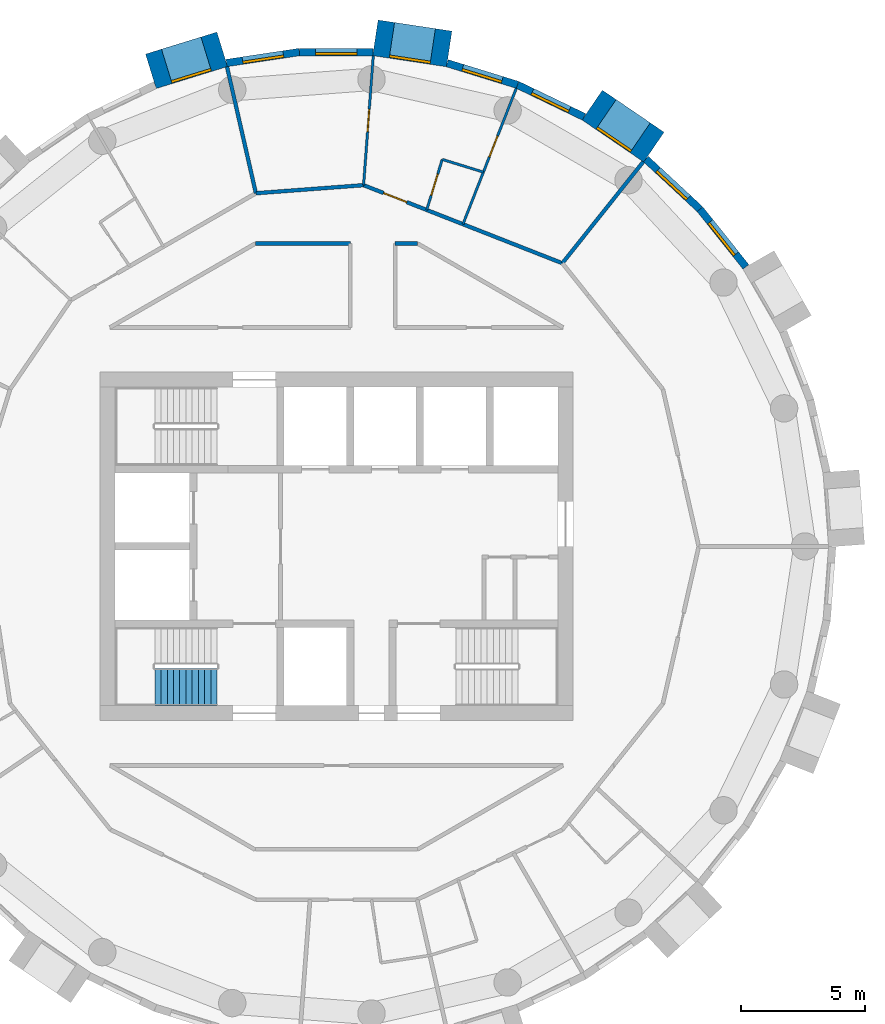
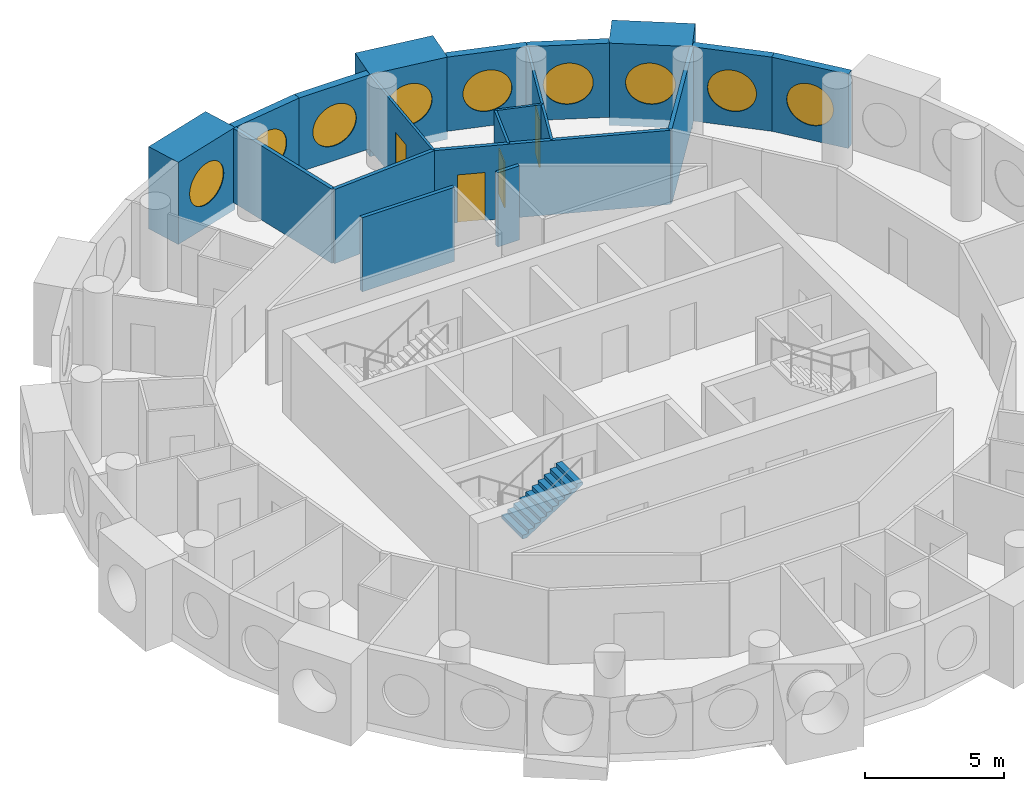
# One storey, part 9 of 11: 20 walls, 9 windows, 4 doors, 1 stair flight, 13 openings, 1 element without a shape of its own.
"""IFC4 building model written with IfcOpenShell, lengths in metres."""

from ifc_helpers import new_model, si_unit, direction, frame, frame_2d, origin, origin_2d, place, context, subcontext, project, spatial, polyline, rectangle, circle, outline, extrude, material, layer, layer_set, type_object, element, fill, aggregate, save


model = new_model("IFC4")

# Units and contexts
model_context = context("Model", 3, precision=1e-05, world=origin(), true_north=direction((0.0, 1.0)))
body_context = subcontext(model_context, "Body", "Model", "MODEL_VIEW")
ifc_project = project(units=[si_unit("LENGTHUNIT", "METRE"), si_unit("AREAUNIT", "SQUARE_METRE"), si_unit("VOLUMEUNIT", "CUBIC_METRE"), si_unit("PLANEANGLEUNIT", "RADIAN"), si_unit("MASSUNIT", "GRAM", prefix="KILO")], contexts=[model_context])

# Site, building, storey
site_placement = place(None, origin())
site = spatial("IfcSite", under=ifc_project, at=site_placement, CompositionType="ELEMENT")
building_placement = place(site_placement, origin())
building = spatial("IfcBuilding", under=site, at=building_placement, Name="Tracery Tower", CompositionType="ELEMENT")
storey_placement = place(building_placement, frame((0.0, 0.0, 263.39990234375)))
storey = spatial("IfcBuildingStorey", under=building, at=storey_placement, Name="L68", CompositionType="ELEMENT", Elevation=263.39990234375)

# Wall, opening, window
ifc_material_1 = material(Name="Precast concrete C50/60", Category="concrete")
ifc_layer_1 = layer(ifc_material_1, 1.449951171875)
ifc_layer_set_1 = layer_set([ifc_layer_1], Name="Deep-set bay unit 3000 x 3600, slab edge 350")
wall_type_1 = type_object("IfcWallType", Name="Deep-set bay unit 3000 x 3600, slab edge 350", PredefinedType="ELEMENTEDWALL", material=ifc_layer_set_1)
wall_1_placement = place(storey_placement, frame((12.754150390625, 16.044189453125, -0.349853515625), z_axis=(0.0, 0.0, 1.0), x_axis=(-0.826246281157, 0.563309047392, 0.0)))
wall_1 = element("IfcWall", 1, at=wall_1_placement, inside=storey, type_object=wall_type_1, Name="Deep-set bay unit 7 at L68", PredefinedType="ELEMENTEDWALL", context=body_context, shape_type="SweptSolid", body=[
    extrude(rectangle(XDim=3.0, YDim=1.449951171875, at=frame_2d((1.5, 0.0))), origin(), (0.0, 0.0, 1.0), 3.599853515625),
])
opening_1_placement = place(wall_1_placement, frame((1.5, 0.0, 1.89990234375)))
opening_1 = element("IfcOpeningElement", 2, at=opening_1_placement, cuts=wall_1, Name="Opening WN1", PredefinedType="OPENING", context=body_context, shape_type="SweptSolid", body=[
    extrude(circle(Radius=0.9000244140625, at=origin_2d()), frame((0.0, 0.73486328125, 0.0), z_axis=(0.0, -1.0, 0.0), x_axis=(1.0, 0.0, 0.0)), (0.0, 0.0, 1.0), 1.469970703125),
])
ifc_material_2 = material(Name="Aluminium frame with tinted double glazing", Category="aluminium")
window_type = type_object("IfcWindowType", Name="Round window 1800", PartitioningType="SINGLE_PANEL", PredefinedType="WINDOW", material=ifc_material_2)
window_1_placement = place(opening_1_placement, origin())
window_1 = element("IfcWindow", 3, at=window_1_placement, inside=storey, type_object=window_type, Name="Round window 7 at L68", OverallHeight=1.800048828125, OverallWidth=1.800048828125, PartitioningType="SINGLE_PANEL", PredefinedType="WINDOW", context=body_context, shape_type="SweptSolid", body=[
    extrude(circle(Radius=0.9000244140625, at=origin_2d()), frame((0.0, 0.69482421875, 0.0), z_axis=(0.0, -1.0, 0.0), x_axis=(1.0, 0.0, 0.0)), (0.0, 0.0, 1.0), 0.10009765625),
])
fill(opening_1, window_1)

wall_2_placement = place(storey_placement, frame((4.52978515625, 19.9892578125, -0.349853515625), z_axis=(0.0, 0.0, 1.0), x_axis=(-0.988836445254, 0.149004981587, 0.0)))
wall_2 = element("IfcWall", 4, at=wall_2_placement, inside=storey, type_object=wall_type_1, Name="Deep-set bay unit 10 at L68", PredefinedType="ELEMENTEDWALL", context=body_context, shape_type="SweptSolid", body=[
    extrude(rectangle(XDim=3.0, YDim=1.449951171875, at=frame_2d((1.5, 0.0))), origin(), (0.0, 0.0, 1.0), 3.599853515625),
])
opening_2_placement = place(wall_2_placement, frame((1.5, 0.0, 1.89990234375)))
opening_2 = element("IfcOpeningElement", 5, at=opening_2_placement, cuts=wall_2, Name="Opening WN1", PredefinedType="OPENING", context=body_context, shape_type="SweptSolid", body=[
    extrude(circle(Radius=0.9000244140625, at=origin_2d()), frame((0.0, 0.73486328125, 0.0), z_axis=(0.0, -1.0, 0.0), x_axis=(1.0, 0.0, 0.0)), (0.0, 0.0, 1.0), 1.469970703125),
])
window_2_placement = place(opening_2_placement, origin())
window_2 = element("IfcWindow", 6, at=window_2_placement, inside=storey, type_object=window_type, Name="Round window 10 at L68", OverallHeight=1.800048828125, OverallWidth=1.800048828125, PartitioningType="SINGLE_PANEL", PredefinedType="WINDOW", context=body_context, shape_type="SweptSolid", body=[
    extrude(circle(Radius=0.9000244140625, at=origin_2d()), frame((0.0, 0.69482421875, 0.0), z_axis=(0.0, -1.0, 0.0), x_axis=(1.0, 0.0, 0.0)), (0.0, 0.0, 1.0), 0.10009765625),
])
fill(opening_2, window_2)

wall_3_placement = place(storey_placement, frame((-4.591796875, 19.97509765625, -0.349853515625), z_axis=(0.0, 0.0, 1.0), x_axis=(-0.955571139978, -0.294760574774, 0.0)))
wall_3 = element("IfcWall", 7, at=wall_3_placement, inside=storey, type_object=wall_type_1, Name="Deep-set bay unit 13 at L68", PredefinedType="ELEMENTEDWALL", context=body_context, shape_type="SweptSolid", body=[
    extrude(rectangle(XDim=3.0, YDim=1.449951171875, at=frame_2d((1.5, 0.0))), origin(), (0.0, 0.0, 1.0), 3.599853515625),
])
opening_3_placement = place(wall_3_placement, frame((1.5, 0.0, 1.89990234375)))
opening_3 = element("IfcOpeningElement", 8, at=opening_3_placement, cuts=wall_3, Name="Opening WN1", PredefinedType="OPENING", context=body_context, shape_type="SweptSolid", body=[
    extrude(circle(Radius=0.9000244140625, at=origin_2d()), frame((0.0, 0.73486328125, 0.0), z_axis=(0.0, -1.0, 0.0), x_axis=(1.0, 0.0, 0.0)), (0.0, 0.0, 1.0), 1.469970703125),
])
window_3_placement = place(opening_3_placement, origin())
window_3 = element("IfcWindow", 9, at=window_3_placement, inside=storey, type_object=window_type, Name="Round window 13 at L68", OverallHeight=1.800048828125, OverallWidth=1.800048828125, PartitioningType="SINGLE_PANEL", PredefinedType="WINDOW", context=body_context, shape_type="SweptSolid", body=[
    extrude(circle(Radius=0.9000244140625, at=origin_2d()), frame((0.0, 0.69482421875, 0.0), z_axis=(0.0, -1.0, 0.0), x_axis=(1.0, 0.0, 0.0)), (0.0, 0.0, 1.0), 0.10009765625),
])
fill(opening_3, window_3)

ifc_material_3 = material(Name="Precast concrete C50/60", Category="concrete")
ifc_layer_2 = layer(ifc_material_3, 0.300048828125)
ifc_layer_set_2 = layer_set([ifc_layer_2], Name="Facade panel 3000 x 3250")
wall_type_2 = type_object("IfcWallType", Name="Facade panel 3000 x 3250", PredefinedType="SOLIDWALL", material=ifc_layer_set_2)
wall_4_placement = place(storey_placement, frame((16.45068359375, 11.234375, 0.0), z_axis=(0.0, 0.0, 1.0), x_axis=(-0.623498236992, 0.781824755599, 0.0)))
wall_4 = element("IfcWall", 10, at=wall_4_placement, inside=storey, type_object=wall_type_2, Name="Facade panel 5 at L68", PredefinedType="SOLIDWALL", context=body_context, shape_type="SweptSolid", body=[
    extrude(rectangle(XDim=2.962158203125, YDim=0.300048828125, at=frame_2d((1.48095703125, 0.0))), origin(), (0.0, 0.0, 1.0), 3.25),
])
opening_4_placement = place(wall_4_placement, frame((1.48095703125, 0.0, 1.5498046875)))
opening_4 = element("IfcOpeningElement", 11, at=opening_4_placement, cuts=wall_4, Name="Opening WN1", PredefinedType="OPENING", context=body_context, shape_type="SweptSolid", body=[
    extrude(circle(Radius=0.9000244140625, at=origin_2d()), frame((0.0, 0.159912109375, 0.0), z_axis=(0.0, -1.0, 0.0), x_axis=(1.0, 0.0, 0.0)), (0.0, 0.0, 1.0), 0.320068359375),
])
window_4_placement = place(opening_4_placement, origin())
window_4 = element("IfcWindow", 12, at=window_4_placement, inside=storey, type_object=window_type, Name="Round window 5 at L68", OverallHeight=1.800048828125, OverallWidth=1.800048828125, PartitioningType="SINGLE_PANEL", PredefinedType="WINDOW", context=body_context, shape_type="SweptSolid", body=[
    extrude(circle(Radius=0.9000244140625, at=origin_2d()), frame((0.0, 0.1201171875, 0.0), z_axis=(0.0, -1.0, 0.0), x_axis=(1.0, 0.0, 0.0)), (0.0, 0.0, 1.0), 0.10009765625),
])
fill(opening_4, window_4)

wall_5_placement = place(storey_placement, frame((14.603759765625, 13.55029296875, 0.0), z_axis=(0.0, 0.0, 1.0), x_axis=(-0.733066412643, 0.680157066165, 0.0)))
wall_5 = element("IfcWall", 13, at=wall_5_placement, inside=storey, type_object=wall_type_2, Name="Facade panel 6 at L68", PredefinedType="SOLIDWALL", context=body_context, shape_type="SweptSolid", body=[
    extrude(rectangle(XDim=2.96240234375, YDim=0.300048828125, at=frame_2d((1.481201171875, 0.0))), origin(), (0.0, 0.0, 1.0), 3.25),
])
opening_5_placement = place(wall_5_placement, frame((1.48095703125, 0.0, 1.5498046875)))
opening_5 = element("IfcOpeningElement", 14, at=opening_5_placement, cuts=wall_5, Name="Opening WN1", PredefinedType="OPENING", context=body_context, shape_type="SweptSolid", body=[
    extrude(circle(Radius=0.9000244140625, at=origin_2d()), frame((0.0, 0.159912109375, 0.0), z_axis=(0.0, -1.0, 0.0), x_axis=(1.0, 0.0, 0.0)), (0.0, 0.0, 1.0), 0.320068359375),
])
window_5_placement = place(opening_5_placement, origin())
window_5 = element("IfcWindow", 15, at=window_5_placement, inside=storey, type_object=window_type, Name="Round window 6 at L68", OverallHeight=1.800048828125, OverallWidth=1.800048828125, PartitioningType="SINGLE_PANEL", PredefinedType="WINDOW", context=body_context, shape_type="SweptSolid", body=[
    extrude(circle(Radius=0.9000244140625, at=origin_2d()), frame((0.0, 0.1201171875, 0.0), z_axis=(0.0, -1.0, 0.0), x_axis=(1.0, 0.0, 0.0)), (0.0, 0.0, 1.0), 0.10009765625),
])
fill(opening_5, window_5)

wall_6_placement = place(storey_placement, frame((9.947021484375, 17.25927734375, 0.0), z_axis=(0.0, 0.0, 1.0), x_axis=(-0.900939615635, 0.433944476838, 0.0)))
wall_6 = element("IfcWall", 16, at=wall_6_placement, inside=storey, type_object=wall_type_2, Name="Facade panel 8 at L68", PredefinedType="SOLIDWALL", context=body_context, shape_type="SweptSolid", body=[
    extrude(rectangle(XDim=2.962158203125, YDim=0.300048828125, at=frame_2d((1.48095703125, 0.0))), origin(), (0.0, 0.0, 1.0), 3.25),
])
opening_6_placement = place(wall_6_placement, frame((1.48095703125, 0.0, 1.5498046875)))
opening_6 = element("IfcOpeningElement", 17, at=opening_6_placement, cuts=wall_6, Name="Opening WN1", PredefinedType="OPENING", context=body_context, shape_type="SweptSolid", body=[
    extrude(circle(Radius=0.9000244140625, at=origin_2d()), frame((0.0, 0.159912109375, 0.0), z_axis=(0.0, -1.0, 0.0), x_axis=(1.0, 0.0, 0.0)), (0.0, 0.0, 1.0), 0.320068359375),
])
window_6_placement = place(opening_6_placement, origin())
window_6 = element("IfcWindow", 18, at=window_6_placement, inside=storey, type_object=window_type, Name="Round window 8 at L68", OverallHeight=1.800048828125, OverallWidth=1.800048828125, PartitioningType="SINGLE_PANEL", PredefinedType="WINDOW", context=body_context, shape_type="SweptSolid", body=[
    extrude(circle(Radius=0.9000244140625, at=origin_2d()), frame((0.0, 0.1201171875, 0.0), z_axis=(0.0, -1.0, 0.0), x_axis=(1.0, 0.0, 0.0)), (0.0, 0.0, 1.0), 0.10009765625),
])
fill(opening_6, window_6)

wall_7_placement = place(storey_placement, frame((7.2783203125, 18.544677734375, 0.0), z_axis=(0.0, 0.0, 1.0), x_axis=(-0.95558635705, 0.294711238707, 0.0)))
wall_7 = element("IfcWall", 19, at=wall_7_placement, inside=storey, type_object=wall_type_2, Name="Facade panel 9 at L68", PredefinedType="SOLIDWALL", context=body_context, shape_type="SweptSolid", body=[
    extrude(rectangle(XDim=2.96240234375, YDim=0.300048828125, at=frame_2d((1.481201171875, 0.0))), origin(), (0.0, 0.0, 1.0), 3.25),
])
opening_7_placement = place(wall_7_placement, frame((1.48095703125, 0.0, 1.5498046875)))
opening_7 = element("IfcOpeningElement", 20, at=opening_7_placement, cuts=wall_7, Name="Opening WN1", PredefinedType="OPENING", context=body_context, shape_type="SweptSolid", body=[
    extrude(circle(Radius=0.9000244140625, at=origin_2d()), frame((0.0, 0.159912109375, 0.0), z_axis=(0.0, -1.0, 0.0), x_axis=(1.0, 0.0, 0.0)), (0.0, 0.0, 1.0), 0.320068359375),
])
window_7_placement = place(opening_7_placement, origin())
window_7 = element("IfcWindow", 21, at=window_7_placement, inside=storey, type_object=window_type, Name="Round window 9 at L68", OverallHeight=1.800048828125, OverallWidth=1.800048828125, PartitioningType="SINGLE_PANEL", PredefinedType="WINDOW", context=body_context, shape_type="SweptSolid", body=[
    extrude(circle(Radius=0.9000244140625, at=origin_2d()), frame((0.0, 0.1201171875, 0.0), z_axis=(0.0, -1.0, 0.0), x_axis=(1.0, 0.0, 0.0)), (0.0, 0.0, 1.0), 0.10009765625),
])
fill(opening_7, window_7)

wall_8_placement = place(storey_placement, frame((1.473388671875, 19.865966796875, 0.0), z_axis=(0.0, 0.0, 1.0), x_axis=(-1.0, 0.0, 0.0)))
wall_8 = element("IfcWall", 22, at=wall_8_placement, inside=storey, type_object=wall_type_2, Name="Facade panel 11 at L68", PredefinedType="SOLIDWALL", context=body_context, shape_type="SweptSolid", body=[
    extrude(rectangle(XDim=2.962158203125, YDim=0.300048828125, at=frame_2d((1.48095703125, 0.0))), origin(), (0.0, 0.0, 1.0), 3.25),
])
opening_8_placement = place(wall_8_placement, frame((1.48095703125, 0.0, 1.5498046875)))
opening_8 = element("IfcOpeningElement", 23, at=opening_8_placement, cuts=wall_8, Name="Opening WN1", PredefinedType="OPENING", context=body_context, shape_type="SweptSolid", body=[
    extrude(circle(Radius=0.9000244140625, at=origin_2d()), frame((0.0, 0.159912109375, 0.0), z_axis=(0.0, -1.0, 0.0), x_axis=(1.0, 0.0, 0.0)), (0.0, 0.0, 1.0), 0.320068359375),
])
window_8_placement = place(opening_8_placement, origin())
window_8 = element("IfcWindow", 24, at=window_8_placement, inside=storey, type_object=window_type, Name="Round window 11 at L68", OverallHeight=1.800048828125, OverallWidth=1.800048828125, PartitioningType="SINGLE_PANEL", PredefinedType="WINDOW", context=body_context, shape_type="SweptSolid", body=[
    extrude(circle(Radius=0.9000244140625, at=origin_2d()), frame((0.0, 0.1201171875, 0.0), z_axis=(0.0, -1.0, 0.0), x_axis=(1.0, 0.0, 0.0)), (0.0, 0.0, 1.0), 0.10009765625),
])
fill(opening_8, window_8)

wall_9_placement = place(storey_placement, frame((-1.48876953125, 19.865966796875, 0.0), z_axis=(0.0, 0.0, 1.0), x_axis=(-0.988835775663, -0.149009425104, 0.0)))
wall_9 = element("IfcWall", 25, at=wall_9_placement, inside=storey, type_object=wall_type_2, Name="Facade panel 12 at L68", PredefinedType="SOLIDWALL", context=body_context, shape_type="SweptSolid", body=[
    extrude(rectangle(XDim=2.962158203125, YDim=0.300048828125, at=frame_2d((1.48095703125, 0.0))), origin(), (0.0, 0.0, 1.0), 3.25),
])
opening_9_placement = place(wall_9_placement, frame((1.48095703125, 0.0, 1.5498046875)))
opening_9 = element("IfcOpeningElement", 26, at=opening_9_placement, cuts=wall_9, Name="Opening WN1", PredefinedType="OPENING", context=body_context, shape_type="SweptSolid", body=[
    extrude(circle(Radius=0.9000244140625, at=origin_2d()), frame((0.0, 0.159912109375, 0.0), z_axis=(0.0, -1.0, 0.0), x_axis=(1.0, 0.0, 0.0)), (0.0, 0.0, 1.0), 0.320068359375),
])
window_9_placement = place(opening_9_placement, origin())
window_9 = element("IfcWindow", 27, at=window_9_placement, inside=storey, type_object=window_type, Name="Round window 12 at L68", OverallHeight=1.800048828125, OverallWidth=1.800048828125, PartitioningType="SINGLE_PANEL", PredefinedType="WINDOW", context=body_context, shape_type="SweptSolid", body=[
    extrude(circle(Radius=0.9000244140625, at=origin_2d()), frame((0.0, 0.1201171875, 0.0), z_axis=(0.0, -1.0, 0.0), x_axis=(1.0, 0.0, 0.0)), (0.0, 0.0, 1.0), 0.10009765625),
])
fill(opening_9, window_9)

# Wall, opening, door
ifc_material_4 = material(Name="Plasterboard on steel studs", Category="steel")
ifc_layer_3 = layer(ifc_material_4, 0.10009765625)
ifc_layer_set_3 = layer_set([ifc_layer_3], Name="Partition 100 stud")
wall_type_3 = type_object("IfcWallType", Name="Partition 100 stud", PredefinedType="PARTITIONING", material=ifc_layer_set_3)
wall_10_placement = place(storey_placement, frame((5.903076171875, 15.041015625, 0.0), z_axis=(0.0, 0.0, 1.0), x_axis=(0.36523219083, 0.930916455318, 0.0)))
wall_10 = element("IfcWall", 28, at=wall_10_placement, inside=storey, type_object=wall_type_3, Name="Stud partition RC4-041", PredefinedType="PARTITIONING", context=body_context, shape_type="SweptSolid", body=[
    extrude(rectangle(XDim=3.61376953125, YDim=0.10009765625, at=frame_2d((1.806884765625, 0.0))), origin(), (0.0, 0.0, 1.0), 3.25),
])
opening_10_placement = place(wall_10_placement, frame((0.65673828125, 0.0, 0.0)))
opening_10 = element("IfcOpeningElement", 29, at=opening_10_placement, cuts=wall_10, Name="Opening RC4-05", PredefinedType="OPENING", context=body_context, shape_type="SweptSolid", body=[
    extrude(rectangle(XDim=0.89990234375, YDim=2.10009765625, at=frame_2d((0.449951171875, 1.050048828125))), frame((0.0, 0.050048828125, 0.0), z_axis=(0.0, -1.0, 0.0), x_axis=(1.0, 0.0, 0.0)), (0.0, 0.0, 1.0), 0.10009765625),
])
ifc_material_5 = material(Name="Timber door leaf", Category="wood")
door_type_1 = type_object("IfcDoorType", Name="Door bedroom 900", OperationType="NOTDEFINED", PredefinedType="DOOR", material=ifc_material_5)
door_1_placement = place(opening_10_placement, origin())
door_1 = element("IfcDoor", 30, at=door_1_placement, inside=storey, type_object=door_type_1, Name="Bedroom door RC4-05", OperationType="SINGLE_SWING_RIGHT", OverallHeight=2.10009765625, OverallWidth=0.89990234375, PredefinedType="DOOR", context=body_context, shape_type="SweptSolid", body=[
    extrude(rectangle(XDim=0.89990234375, YDim=2.10009765625, at=frame_2d((0.449951171875, 1.050048828125))), frame((0.0, 0.02490234375, 0.0), z_axis=(0.0, -1.0, 0.0), x_axis=(1.0, 0.0, 0.0)), (0.0, 0.0, 1.0), 0.050048828125),
])
fill(opening_10, door_1)

wall_11_placement = place(storey_placement, frame((1.087890625, 14.51611328125, 0.0), z_axis=(0.0, 0.0, 1.0), x_axis=(0.074816718541, 0.997197301755, 0.0)))
wall_11 = element("IfcWall", 31, at=wall_11_placement, inside=storey, type_object=wall_type_3, Name="Stud partition RC4-042", PredefinedType="PARTITIONING", context=body_context, shape_type="SweptSolid", body=[
    extrude(rectangle(XDim=5.214599609375, YDim=0.10009765625, at=frame_2d((2.607421875, 0.0))), origin(), (0.0, 0.0, 1.0), 3.25),
])
opening_11_placement = place(wall_11_placement, frame((2.156982421875, 0.0, 0.0)))
opening_11 = element("IfcOpeningElement", 32, at=opening_11_placement, cuts=wall_11, Name="Opening RC4-06", PredefinedType="OPENING", context=body_context, shape_type="SweptSolid", body=[
    extrude(rectangle(XDim=0.89990234375, YDim=2.10009765625, at=frame_2d((0.449951171875, 1.050048828125))), frame((0.0, 0.050048828125, 0.0), z_axis=(0.0, -1.0, 0.0), x_axis=(1.0, 0.0, 0.0)), (0.0, 0.0, 1.0), 0.10009765625),
])
door_2_placement = place(opening_11_placement, origin())
door_2 = element("IfcDoor", 33, at=door_2_placement, inside=storey, type_object=door_type_1, Name="Bedroom door RC4-06", OperationType="SINGLE_SWING_LEFT", OverallHeight=2.10009765625, OverallWidth=0.89990234375, PredefinedType="DOOR", context=body_context, shape_type="SweptSolid", body=[
    extrude(rectangle(XDim=0.89990234375, YDim=2.10009765625, at=frame_2d((0.449951171875, 1.050048828125))), frame((0.0, 0.02490234375, 0.0), z_axis=(0.0, -1.0, 0.0), x_axis=(1.0, 0.0, 0.0)), (0.0, 0.0, 1.0), 0.050048828125),
])
fill(opening_11, door_2)

# Wall
ifc_material_6 = material(Name="Plasterboard on steel studs", Category="steel")
ifc_layer_4 = layer(ifc_material_6, 0.10009765625)
ifc_layer_set_4 = layer_set([ifc_layer_4], Name="Partition 100 wet wall")
wall_type_4 = type_object("IfcWallType", Name="Partition 100 wet wall", PredefinedType="PARTITIONING", material=ifc_layer_set_4)
wall_12_placement = place(storey_placement, frame((4.25, 15.551025390625, 0.0), z_axis=(0.0, 0.0, 1.0), x_axis=(0.955555986234, -0.294809696536, 0.0)))
element("IfcWall", 34, at=wall_12_placement, inside=storey, type_object=wall_type_4, Name="Wet wall RC4-043", PredefinedType="PARTITIONING", context=body_context, shape_type="SweptSolid", body=[
    extrude(rectangle(XDim=1.72998046875, YDim=0.10009765625, at=frame_2d((0.864990234375, 0.0))), origin(), (0.0, 0.0, 1.0), 3.25),
])

# Wall, opening, door
wall_13_placement = place(storey_placement, frame((3.6240234375, 13.52099609375, 0.0), z_axis=(0.0, 0.0, 1.0), x_axis=(0.294667251911, 0.955599921856, 0.0)))
wall_13 = element("IfcWall", 35, at=wall_13_placement, inside=storey, type_object=wall_type_4, Name="Wet wall RC4-044", PredefinedType="PARTITIONING", context=body_context, shape_type="SweptSolid", body=[
    extrude(rectangle(XDim=2.124267578125, YDim=0.10009765625, at=frame_2d((1.06201171875, 0.0))), origin(), (0.0, 0.0, 1.0), 3.25),
])
opening_12_placement = place(wall_13_placement, frame((0.6123046875, 0.0, 0.0)))
opening_12 = element("IfcOpeningElement", 36, at=opening_12_placement, cuts=wall_13, Name="Opening RC4-07", PredefinedType="OPENING", context=body_context, shape_type="SweptSolid", body=[
    extrude(rectangle(XDim=0.89990234375, YDim=2.0, at=frame_2d((0.449951171875, 1.0))), frame((0.0, 0.050048828125, 0.0), z_axis=(0.0, -1.0, 0.0), x_axis=(1.0, 0.0, 0.0)), (0.0, 0.0, 1.0), 0.10009765625),
])
ifc_material_7 = material(Name="Timber door leaf", Category="wood")
door_type_2 = type_object("IfcDoorType", Name="Door shower room 900", OperationType="NOTDEFINED", PredefinedType="DOOR", material=ifc_material_7)
door_3_placement = place(opening_12_placement, origin())
door_3 = element("IfcDoor", 37, at=door_3_placement, inside=storey, type_object=door_type_2, Name="Shower room door RC4-07", OperationType="SINGLE_SWING_LEFT", OverallHeight=2.0, OverallWidth=0.89990234375, PredefinedType="DOOR", context=body_context, shape_type="SweptSolid", body=[
    extrude(rectangle(XDim=0.89990234375, YDim=2.0, at=frame_2d((0.449951171875, 1.0))), frame((0.0, 0.02490234375, 0.0), z_axis=(0.0, -1.0, 0.0), x_axis=(1.0, 0.0, 0.0)), (0.0, 0.0, 1.0), 0.050048828125),
])
fill(opening_12, door_3)

# Walls
wall_14_placement = place(storey_placement, frame((5.08203125, 12.948974609375, 0.0), z_axis=(0.0, 0.0, 1.0), x_axis=(0.365118857447, 0.930960912142, 0.0)))
element("IfcWall", 38, at=wall_14_placement, inside=storey, type_object=wall_type_4, Name="Wet wall RC4-045", PredefinedType="PARTITIONING", context=body_context, shape_type="SweptSolid", body=[
    extrude(rectangle(XDim=2.25146484375, YDim=0.10009765625, at=frame_2d((1.125732421875, 0.0))), origin(), (0.0, 0.0, 1.0), 3.25),
])
ifc_material_8 = material(Name="Plasterboard on steel studs", Category="steel")
ifc_layer_5 = layer(ifc_material_8, 0.14990234375)
ifc_layer_set_5 = layer_set([ifc_layer_5], Name="Partition 150 acoustic unit wall")
wall_type_5 = type_object("IfcWallType", Name="Partition 150 acoustic unit wall", PredefinedType="PARTITIONING", material=ifc_layer_set_5)
wall_15_placement = place(storey_placement, frame((9.075927734375, 11.381103515625, 0.0), z_axis=(0.0, 0.0, 1.0), x_axis=(0.623460949534, 0.781854490558, 0.0)))
element("IfcWall", 39, at=wall_15_placement, inside=storey, type_object=wall_type_5, Name="Unit wall RC4-039", PredefinedType="PARTITIONING", context=body_context, shape_type="SweptSolid", body=[
    extrude(rectangle(XDim=5.21435546875, YDim=0.14990234375, at=frame_2d((2.607177734375, 0.0))), origin(), (0.0, 0.0, 1.0), 3.25),
])
wall_16_placement = place(storey_placement, frame((-4.39990234375, 19.27587890625, 0.0), z_axis=(0.0, 0.0, 1.0), x_axis=(0.222612505682, -0.974907007008, 0.0)))
element("IfcWall", 40, at=wall_16_placement, inside=storey, type_object=wall_type_5, Name="Unit wall RC4-046", PredefinedType="PARTITIONING", context=body_context, shape_type="SweptSolid", body=[
    extrude(rectangle(XDim=5.21484375, YDim=0.14990234375, at=frame_2d((2.607421875, 0.0))), origin(), (0.0, 0.0, 1.0), 3.25),
])
ifc_material_9 = material(Name="Plasterboard on steel studs", Category="steel")
ifc_layer_6 = layer(ifc_material_9, 0.14990234375)
ifc_layer_set_6 = layer_set([ifc_layer_6], Name="Partition 150 corridor wall")
wall_type_6 = type_object("IfcWallType", Name="Partition 150 corridor wall", PredefinedType="PARTITIONING", material=ifc_layer_set_6)
wall_17_placement = place(storey_placement, frame((-3.260986328125, 12.1708984375, 0.0), z_axis=(0.0, 0.0, 1.0), x_axis=(1.0, 0.0, 0.0)))
element("IfcWall", 41, at=wall_17_placement, inside=storey, type_object=wall_type_6, Name="Corridor wall RC4-021", PredefinedType="PARTITIONING", context=body_context, shape_type="SweptSolid", body=[
    extrude(rectangle(XDim=3.81689453125, YDim=0.14990234375, at=frame_2d((1.908447265625, 0.0))), origin(), (0.0, 0.0, 1.0), 3.25),
])
wall_18_placement = place(storey_placement, frame((2.35595703125, 12.1708984375, 0.0), z_axis=(0.0, 0.0, 1.0), x_axis=(1.0, 0.0, 0.0)))
element("IfcWall", 42, at=wall_18_placement, inside=storey, type_object=wall_type_6, Name="Corridor wall RC4-024", PredefinedType="PARTITIONING", context=body_context, shape_type="SweptSolid", body=[
    extrude(rectangle(XDim=0.905029296875, YDim=0.14990234375, at=frame_2d((0.45263671875, 0.0))), origin(), (0.0, 0.0, 1.0), 3.25),
])

# Wall, opening, door
wall_19_placement = place(storey_placement, frame((1.087890625, 14.51611328125, 0.0), z_axis=(0.0, 0.0, 1.0), x_axis=(0.930800934608, -0.365526497168, 0.0)))
wall_19 = element("IfcWall", 43, at=wall_19_placement, inside=storey, type_object=wall_type_6, Name="Corridor wall RC4-027", PredefinedType="PARTITIONING", context=body_context, shape_type="SweptSolid", body=[
    extrude(rectangle(XDim=8.581298828125, YDim=0.14990234375, at=frame_2d((4.29052734375, 0.0))), origin(), (0.0, 0.0, 1.0), 3.25),
])
opening_13_placement = place(wall_19_placement, frame((0.864013671875, 0.0, 0.0)))
opening_13 = element("IfcOpeningElement", 44, at=opening_13_placement, cuts=wall_19, Name="Opening RC4-08", PredefinedType="OPENING", context=body_context, shape_type="SweptSolid", body=[
    extrude(rectangle(XDim=1.0, YDim=2.10009765625, at=frame_2d((0.5, 1.050048828125))), frame((0.0, 0.074951171875, 0.0), z_axis=(0.0, -1.0, 0.0), x_axis=(1.0, 0.0, 0.0)), (0.0, 0.0, 1.0), 0.14990234375),
])
ifc_material_10 = material(Name="Timber door leaf", Category="wood")
door_type_3 = type_object("IfcDoorType", Name="Door unit entrance 1000", OperationType="NOTDEFINED", PredefinedType="DOOR", material=ifc_material_10)
door_4_placement = place(opening_13_placement, origin())
door_4 = element("IfcDoor", 45, at=door_4_placement, inside=storey, type_object=door_type_3, Name="Unit entrance door RC4-08", OperationType="SINGLE_SWING_RIGHT", OverallHeight=2.10009765625, OverallWidth=1.0, PredefinedType="DOOR", context=body_context, shape_type="SweptSolid", body=[
    extrude(rectangle(XDim=1.0, YDim=2.10009765625, at=frame_2d((0.5, 1.050048828125))), frame((0.0, 0.02490234375, 0.0), z_axis=(0.0, -1.0, 0.0), x_axis=(1.0, 0.0, 0.0)), (0.0, 0.0, 1.0), 0.050048828125),
])
fill(opening_13, door_4)

# Wall
wall_20_placement = place(storey_placement, frame((-3.239013671875, 14.19189453125, 0.0), z_axis=(0.0, 0.0, 1.0), x_axis=(0.997204448067, 0.074721407608, 0.0)))
element("IfcWall", 46, at=wall_20_placement, inside=storey, type_object=wall_type_6, Name="Corridor wall RC4-028", PredefinedType="PARTITIONING", context=body_context, shape_type="SweptSolid", body=[
    extrude(rectangle(XDim=4.339111328125, YDim=0.14990234375, at=frame_2d((2.16943359375, 0.0))), origin(), (0.0, 0.0, 1.0), 3.25),
])

# Stair, stair flight
ifc_material_11 = material(Name="Concrete C32/40", Category="concrete")
stair_type = type_object("IfcStairType", Name="Core stair 22 risers", PredefinedType="HALF_TURN_STAIR", material=ifc_material_11)
stair_placement = place(storey_placement, origin())
stair = element("IfcStair", 47, at=stair_placement, inside=storey, type_object=stair_type, Name="L68 stair ST1", PredefinedType="HALF_TURN_STAIR")
ifc_material_12 = material(Name="Concrete C32/40", Category="concrete")
stair_flight_type = type_object("IfcStairFlightType", Name="Core stair flight 11 risers", PredefinedType="STRAIGHT", material=ifc_material_12)
stair_flight_placement = place(storey_placement, frame((-7.300048828125, -5.64990234375, 1.800048828125), z_axis=(0.0, 0.0, 1.0), x_axis=(1.0, 0.0, 0.0)))
stair_flight = element("IfcStairFlight", 48, at=stair_flight_placement, type_object=stair_flight_type, Name="ST1 flight 2", NumberOfRisers=11, NumberOfTreads=10, PredefinedType="STRAIGHT", RiserHeight=0.163636364, TreadLength=0.25, context=body_context, shape_type="SweptSolid", body=[
    extrude(outline(polyline([(0.0, 0.0), (0.0, 0.002685546875), (0.0, 0.00537109375), (0.0, 0.008056640625), (0.0, 0.0107421875), (0.0, 0.013427734375), (0.0, 0.01611328125), (0.0, 0.018798828125), (0.0, 0.021484375), (0.0, 0.024169921875), (0.0, 0.02685546875), (0.0, 0.029541015625), (0.0, 0.0322265625), (0.0, 0.034912109375), (0.0, 0.03759765625), (0.0, 0.040283203125), (0.0, 0.04296875), (0.0, 0.045654296875), (0.0, 0.04833984375), (0.0, 0.051025390625), (0.0, 0.0537109375), (0.0, 0.056396484375), (0.0, 0.05908203125), (0.0, 0.061767578125), (0.0, 0.064453125), (0.0, 0.067138671875), (0.0, 0.06982421875), (0.0, 0.072509765625), (0.0, 0.0751953125), (0.0, 0.077880859375), (0.0, 0.08056640625), (0.0, 0.083251953125), (0.0, 0.0859375), (0.0, 0.088623046875), (0.0, 0.09130859375), (0.0, 0.093994140625), (0.0, 0.0966796875), (0.0, 0.099365234375), (0.0, 0.10205078125), (0.0, 0.104736328125), (0.0, 0.107421875), (0.0, 0.10986328125), (0.0, 0.112548828125), (0.0, 0.115234375), (0.0, 0.117919921875), (0.0, 0.12060546875), (0.0, 0.123291015625), (0.0, 0.1259765625), (0.0, 0.128662109375), (0.0, 0.13134765625), (0.0, 0.134033203125), (0.0, 0.13671875), (0.0, 0.139404296875), (0.0, 0.14208984375), (0.0, 0.144775390625), (0.0, 0.1474609375), (0.0, 0.150146484375), (0.0, 0.15283203125), (0.0, 0.155517578125), (0.0, 0.158203125), (0.0, 0.160888671875), (0.0, 0.16357421875), (0.25, 0.16357421875), (0.25, 0.327392578125), (0.5, 0.327392578125), (0.5, 0.490966796875), (0.75, 0.490966796875), (0.75, 0.654541015625), (1.0, 0.654541015625), (1.0, 0.818115234375), (1.25, 0.818115234375), (1.25, 0.98193359375), (1.5, 0.98193359375), (1.5, 1.1455078125), (1.75, 1.1455078125), (1.75, 1.30908203125), (2.0, 1.30908203125), (2.0, 1.47265625), (2.25, 1.47265625), (2.25, 1.636474609375), (2.5, 1.636474609375), (2.5, 1.634521484375), (2.5, 1.63232421875), (2.5, 1.63037109375), (2.5, 1.62841796875), (2.5, 1.62646484375), (2.5, 1.62451171875), (2.5, 1.62255859375), (2.5, 1.62060546875), (2.5, 1.61865234375), (2.5, 1.61669921875), (2.5, 1.61474609375), (2.5, 1.61279296875), (2.5, 1.61083984375), (2.5, 1.60888671875), (2.5, 1.60693359375), (2.5, 1.60498046875), (2.5, 1.60302734375), (2.5, 1.60107421875), (2.5, 1.59912109375), (2.5, 1.59716796875), (2.5, 1.59521484375), (2.5, 1.59326171875), (2.5, 1.59130859375), (2.5, 1.58935546875), (2.5, 1.58740234375), (2.5, 1.58544921875), (2.5, 1.58349609375), (2.5, 1.58154296875), (2.5, 1.57958984375), (2.5, 1.57763671875), (2.5, 1.57568359375), (2.5, 1.573486328125), (2.5, 1.571533203125), (2.5, 1.569580078125), (2.5, 1.567626953125), (2.5, 1.565673828125), (2.5, 1.563720703125), (2.5, 1.561767578125), (2.5, 1.559814453125), (2.5, 1.557861328125), (2.5, 1.555908203125), (2.5, 1.553955078125), (2.5, 1.552001953125), (2.5, 1.550048828125), (2.5, 1.548095703125), (2.5, 1.546142578125), (2.5, 1.544189453125), (2.5, 1.542236328125), (2.5, 1.540283203125), (2.5, 1.538330078125), (2.5, 1.536376953125), (2.5, 1.534423828125), (2.5, 1.532470703125), (2.5, 1.530517578125), (2.5, 1.528564453125), (2.5, 1.526611328125), (2.5, 1.524658203125), (2.5, 1.522705078125), (2.5, 1.520751953125), (2.5, 1.518798828125), (2.5, 1.516845703125), (0.182861328125, 0.0), (0.0, 0.0)])), frame((0.0, 0.75, 0.0), z_axis=(0.0, -1.0, 0.0), x_axis=(1.0, 0.0, 0.0)), (0.0, 0.0, 1.0), 1.5),
])
aggregate(stair, [stair_flight])

save(model, "model.ifc")
